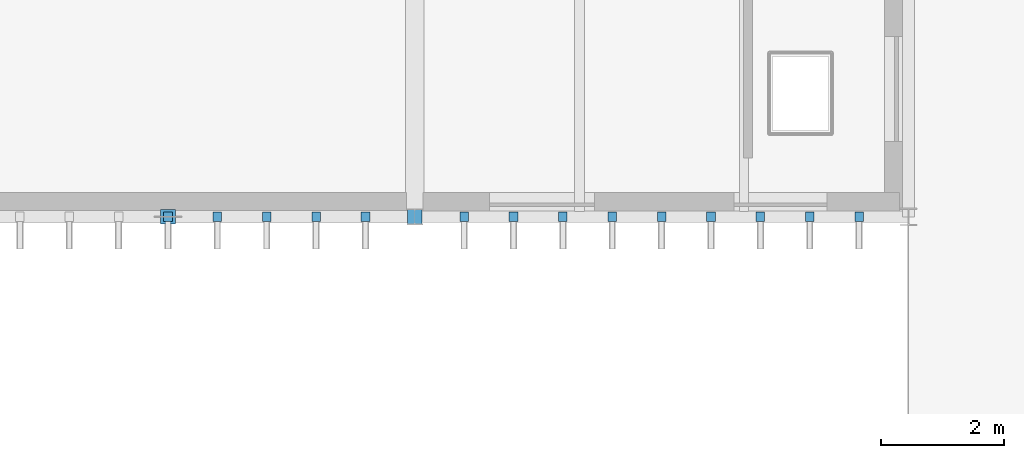
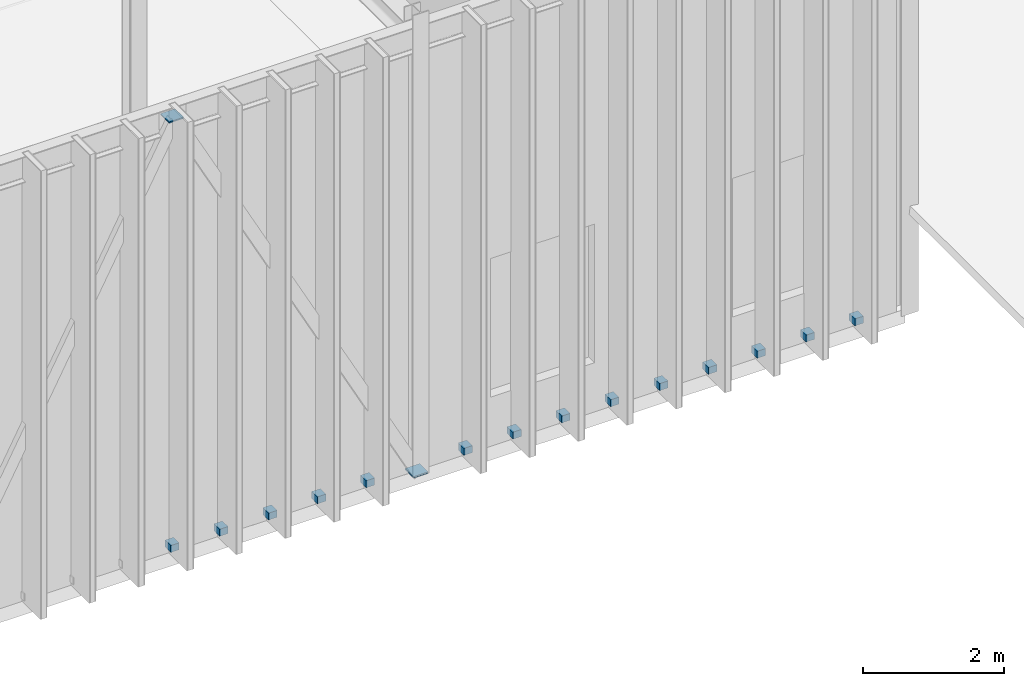
# One storey, part 122 of 138: 16 discrete accessories.
"""IFC4 building model written with IfcOpenShell, lengths in metres."""

from ifc_helpers import new_model, si_unit, direction, frame, origin, origin_2d, place, context, subcontext, project, spatial, rectangle, extrude, material, type_object, element, save


model = new_model("IFC4")

# Units and contexts
model_context = context("Model", 3, precision=1e-05, world=origin(), true_north=direction((0.0, 1.0)))
body_context = subcontext(model_context, "Body", "Model", "MODEL_VIEW")
ifc_project = project(units=[si_unit("LENGTHUNIT", "METRE"), si_unit("AREAUNIT", "SQUARE_METRE"), si_unit("VOLUMEUNIT", "CUBIC_METRE"), si_unit("PLANEANGLEUNIT", "RADIAN"), si_unit("MASSUNIT", "GRAM", prefix="KILO")], contexts=[model_context])

# Site, building, storey
site_placement = place(None, origin())
site = spatial("IfcSite", under=ifc_project, at=site_placement, CompositionType="ELEMENT")
building_placement = place(site_placement, origin())
building = spatial("IfcBuilding", under=site, at=building_placement, Name="Sundkrona Museum", CompositionType="ELEMENT")
storey_placement = place(building_placement, frame((0.0, 0.0, 9.60009765625)))
storey = spatial("IfcBuildingStorey", under=building, at=storey_placement, Name="L02", CompositionType="ELEMENT", Elevation=9.60009765625)

# Discrete accessories
ifc_material = material(Name="Stainless Steel EN 1.4404 Cleat", Category="steel")
discrete_accessory_type = type_object("IfcDiscreteAccessoryType", Name="BRK-FIN-01", PredefinedType="BRACKET", material=ifc_material)
for number, where, z_axis, x_axis, name in (
    (1, (68.0, 78.0, 7.52734375), (0.0, 0.0, 1.0), (1.0, 0.0, 0.0), "Brace and Strut End Connection Plate BR-L02-021A-2"),
    (2, (72.0, 78.0, -0.012451171875), (0.0, 0.0, 1.0), (1.0, 0.0, 0.0), "Brace and Strut End Connection Plate BR-L02-021B-1"),
):
    element("IfcDiscreteAccessory", number, at=place(storey_placement, frame(where, z_axis=z_axis, x_axis=x_axis)), inside=storey, type_object=discrete_accessory_type, Name=name, PredefinedType="BRACKET", context=body_context, shape_type="SweptSolid", body=[
        extrude(rectangle(XDim=0.239990234375, YDim=0.239990234375, at=origin_2d()), origin(), (0.0, 0.0, 1.0), 0.02490234375),
    ])
for number, where, z_axis, x_axis, name in (
    (3, (68.0, 78.0, 0.059814453125), (0.0, 0.0, 1.0), (1.0, 0.0, 0.0), "L02 Fin Bracket S-095"),
    (4, (68.800048828125, 78.0, 0.059814453125), (0.0, 0.0, 1.0), (1.0, 0.0, 0.0), "L02 Fin Bracket S-096"),
    (5, (69.60009765625, 78.0, 0.059814453125), (0.0, 0.0, 1.0), (1.0, 0.0, 0.0), "L02 Fin Bracket S-097"),
    (6, (70.39990234375, 78.0, 0.059814453125), (0.0, 0.0, 1.0), (1.0, 0.0, 0.0), "L02 Fin Bracket S-098"),
    (7, (71.199951171875, 78.0, 0.059814453125), (0.0, 0.0, 1.0), (1.0, 0.0, 0.0), "L02 Fin Bracket S-099"),
    (8, (72.800048828125, 78.0, 0.059814453125), (0.0, 0.0, 1.0), (1.0, 0.0, 0.0), "L02 Fin Bracket S-100"),
    (9, (73.60009765625, 78.0, 0.059814453125), (0.0, 0.0, 1.0), (1.0, 0.0, 0.0), "L02 Fin Bracket S-101"),
    (10, (74.39990234375, 78.0, 0.059814453125), (0.0, 0.0, 1.0), (1.0, 0.0, 0.0), "L02 Fin Bracket S-102"),
    (11, (75.199951171875, 78.0, 0.059814453125), (0.0, 0.0, 1.0), (1.0, 0.0, 0.0), "L02 Fin Bracket S-103"),
    (12, (76.0, 78.0, 0.059814453125), (0.0, 0.0, 1.0), (1.0, 0.0, 0.0), "L02 Fin Bracket S-104"),
    (13, (76.800048828125, 78.0, 0.059814453125), (0.0, 0.0, 1.0), (1.0, 0.0, 0.0), "L02 Fin Bracket S-105"),
    (14, (77.60009765625, 78.0, 0.059814453125), (0.0, 0.0, 1.0), (1.0, 0.0, 0.0), "L02 Fin Bracket S-106"),
    (15, (78.39990234375, 78.0, 0.059814453125), (0.0, 0.0, 1.0), (1.0, 0.0, 0.0), "L02 Fin Bracket S-107"),
    (16, (79.199951171875, 78.0, 0.059814453125), (0.0, 0.0, 1.0), (1.0, 0.0, 0.0), "L02 Fin Bracket S-108"),
):
    element("IfcDiscreteAccessory", number, at=place(storey_placement, frame(where, z_axis=z_axis, x_axis=x_axis)), inside=storey, type_object=discrete_accessory_type, Name=name, PredefinedType="BRACKET", context=body_context, shape_type="SweptSolid", body=[
        extrude(rectangle(XDim=0.139892578125, YDim=0.159912109375, at=origin_2d()), origin(), (0.0, 0.0, 1.0), 0.1201171875),
    ])

save(model, "model.ifc")
